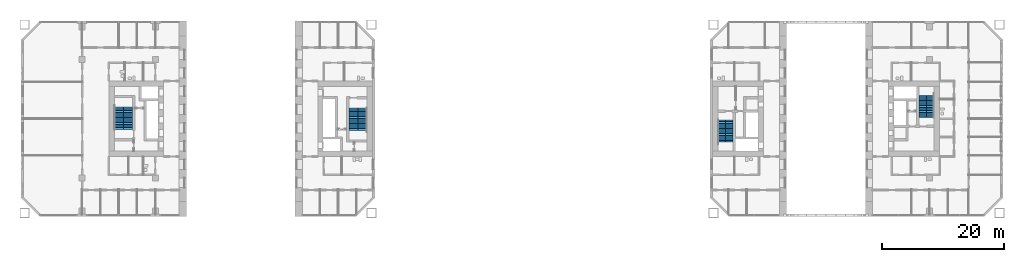
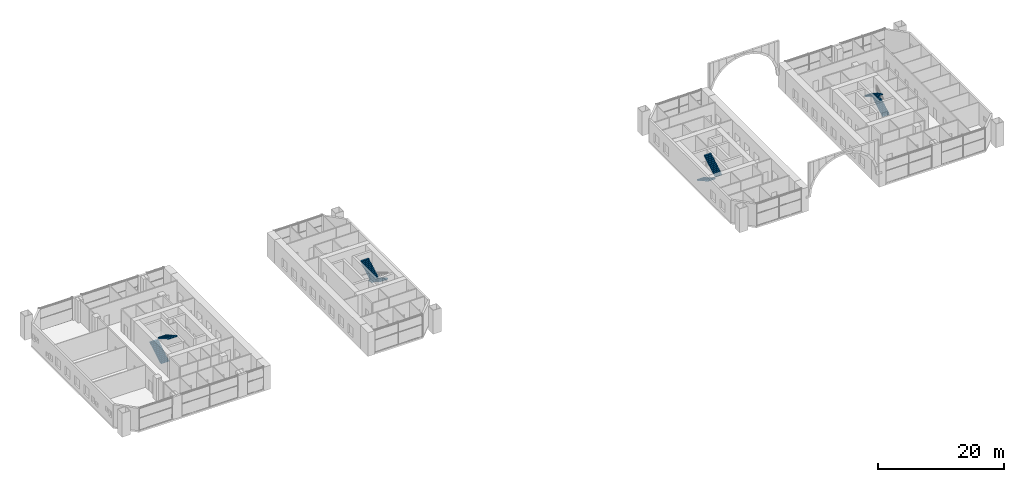
# One storey, part 19 of 21: 8 stair flights, 4 elements without a shape of their own.
"""IFC4 building model written with IfcOpenShell, lengths in metres."""

from ifc_helpers import new_model, si_unit, direction, frame, origin, place, context, subcontext, project, spatial, polyline, outline, extrude, material, type_object, element, aggregate, save


model = new_model("IFC4")

# Units and contexts
model_context = context("Model", 3, precision=1e-05, world=origin(), true_north=direction((0.0, 1.0)))
body_context = subcontext(model_context, "Body", "Model", "MODEL_VIEW")
ifc_project = project(units=[si_unit("LENGTHUNIT", "METRE"), si_unit("AREAUNIT", "SQUARE_METRE"), si_unit("VOLUMEUNIT", "CUBIC_METRE"), si_unit("PLANEANGLEUNIT", "RADIAN"), si_unit("MASSUNIT", "GRAM", prefix="KILO")], contexts=[model_context])

# Site, building, storey
site_placement = place(None, origin())
site = spatial("IfcSite", under=ifc_project, at=site_placement, CompositionType="ELEMENT")
building_placement = place(site_placement, origin())
building = spatial("IfcBuilding", under=site, at=building_placement, Name="Tuart Gate Housing", CompositionType="ELEMENT")
storey_placement = place(building_placement, frame((0.0, 0.0, 5.5)))
storey = spatial("IfcBuildingStorey", under=building, at=storey_placement, Name="L01", CompositionType="ELEMENT", Elevation=5.5)

# Stair, stair flights
ifc_material_1 = material(Name="Concrete C40", Category="concrete")
stair_type_1 = type_object("IfcStairType", Name="Core stair 1250", PredefinedType="HALF_TURN_STAIR", material=ifc_material_1)
stair_1_placement = place(storey_placement, origin())
stair_1 = element("IfcStair", 1, at=stair_1_placement, inside=storey, type_object=stair_type_1, Name="Stair SB1", PredefinedType="HALF_TURN_STAIR")
ifc_material_2 = material(Name="Concrete C40", Category="concrete")
stair_flight_type_1 = type_object("IfcStairFlightType", Name="Stair flight 1250, 14 risers 164 x 280", PredefinedType="STRAIGHT", material=ifc_material_2)
stair_flight_1_placement = place(storey_placement, frame((132.885009765625, 69.800048828125, 0.0), z_axis=(0.0, 0.0, 1.0), x_axis=(0.0, -1.0, 0.0)))
stair_flight_1 = element("IfcStairFlight", 2, at=stair_flight_1_placement, type_object=stair_flight_type_1, Name="SB1 flight 1", NumberOfRisers=14, NumberOfTreads=13, PredefinedType="STRAIGHT", RiserHeight=0.164285714, TreadLength=0.28, context=body_context, shape_type="SweptSolid", body=[
    extrude(outline(polyline([(0.0, 0.0), (0.0, 0.164306640625), (0.280029296875, 0.164306640625), (0.280029296875, 0.32861328125), (0.56005859375, 0.32861328125), (0.56005859375, 0.492919921875), (0.840087890625, 0.492919921875), (0.840087890625, 0.6572265625), (1.1201171875, 0.6572265625), (1.1201171875, 0.821533203125), (1.39990234375, 0.821533203125), (1.39990234375, 0.985595703125), (1.679931640625, 0.985595703125), (1.679931640625, 1.14990234375), (1.9599609375, 1.14990234375), (1.9599609375, 1.314208984375), (2.239990234375, 1.314208984375), (2.239990234375, 1.478515625), (2.52001953125, 1.478515625), (2.52001953125, 1.642822265625), (2.800048828125, 1.642822265625), (2.800048828125, 1.80712890625), (3.080078125, 1.80712890625), (3.080078125, 1.971435546875), (3.360107421875, 1.971435546875), (3.360107421875, 2.1357421875), (3.639892578125, 2.1357421875), (3.639892578125, 2.300048828125), (3.639892578125, 1.9619140625), (0.296142578125, 0.0), (0.0, 0.0)])), frame((0.0, 0.625, 0.0), z_axis=(0.0, -1.0, 0.0), x_axis=(1.0, 0.0, 0.0)), (0.0, 0.0, 1.0), 1.25),
])
stair_flight_2_placement = place(storey_placement, frame((134.135009765625, 66.159912109375, 2.300048828125), z_axis=(0.0, 0.0, 1.0), x_axis=(0.0, 1.0, 0.0)))
stair_flight_2 = element("IfcStairFlight", 3, at=stair_flight_2_placement, type_object=stair_flight_type_1, Name="SB1 flight 2", NumberOfRisers=14, NumberOfTreads=13, PredefinedType="STRAIGHT", RiserHeight=0.164285714, TreadLength=0.28, context=body_context, shape_type="SweptSolid", body=[
    extrude(outline(polyline([(0.0, 0.0), (0.0, 0.164306640625), (0.280029296875, 0.164306640625), (0.280029296875, 0.32861328125), (0.56005859375, 0.32861328125), (0.56005859375, 0.492919921875), (0.840087890625, 0.492919921875), (0.840087890625, 0.6572265625), (1.1201171875, 0.6572265625), (1.1201171875, 0.821533203125), (1.39990234375, 0.821533203125), (1.39990234375, 0.985595703125), (1.679931640625, 0.985595703125), (1.679931640625, 1.14990234375), (1.9599609375, 1.14990234375), (1.9599609375, 1.314208984375), (2.239990234375, 1.314208984375), (2.239990234375, 1.478515625), (2.52001953125, 1.478515625), (2.52001953125, 1.642822265625), (2.800048828125, 1.642822265625), (2.800048828125, 1.80712890625), (3.080078125, 1.80712890625), (3.080078125, 1.971435546875), (3.360107421875, 1.971435546875), (3.360107421875, 2.1357421875), (3.639892578125, 2.1357421875), (3.639892578125, 2.300048828125), (3.639892578125, 1.9619140625), (0.296142578125, 0.0), (0.0, 0.0)])), frame((0.0, 0.625, 0.0), z_axis=(0.0, -1.0, 0.0), x_axis=(1.0, 0.0, 0.0)), (0.0, 0.0, 1.0), 1.25),
])
aggregate(stair_1, [stair_flight_1, stair_flight_2])

stair_2_placement = place(storey_placement, origin())
stair_2 = element("IfcStair", 4, at=stair_2_placement, inside=storey, type_object=stair_type_1, Name="Stair SB2", PredefinedType="HALF_TURN_STAIR")
stair_flight_3_placement = place(storey_placement, frame((167.114990234375, 70.199951171875, 0.0), z_axis=(0.0, 0.0, 1.0), x_axis=(0.0, 1.0, 0.0)))
stair_flight_3 = element("IfcStairFlight", 5, at=stair_flight_3_placement, type_object=stair_flight_type_1, Name="SB2 flight 1", NumberOfRisers=14, NumberOfTreads=13, PredefinedType="STRAIGHT", RiserHeight=0.164285714, TreadLength=0.28, context=body_context, shape_type="SweptSolid", body=[
    extrude(outline(polyline([(0.0, 0.0), (0.0, 0.164306640625), (0.280029296875, 0.164306640625), (0.280029296875, 0.32861328125), (0.56005859375, 0.32861328125), (0.56005859375, 0.492919921875), (0.840087890625, 0.492919921875), (0.840087890625, 0.6572265625), (1.1201171875, 0.6572265625), (1.1201171875, 0.821533203125), (1.39990234375, 0.821533203125), (1.39990234375, 0.985595703125), (1.679931640625, 0.985595703125), (1.679931640625, 1.14990234375), (1.9599609375, 1.14990234375), (1.9599609375, 1.314208984375), (2.239990234375, 1.314208984375), (2.239990234375, 1.478515625), (2.52001953125, 1.478515625), (2.52001953125, 1.642822265625), (2.800048828125, 1.642822265625), (2.800048828125, 1.80712890625), (3.080078125, 1.80712890625), (3.080078125, 1.971435546875), (3.360107421875, 1.971435546875), (3.360107421875, 2.1357421875), (3.639892578125, 2.1357421875), (3.639892578125, 2.300048828125), (3.639892578125, 1.9619140625), (0.296142578125, 0.0), (0.0, 0.0)])), frame((0.0, 0.625, 0.0), z_axis=(0.0, -1.0, 0.0), x_axis=(1.0, 0.0, 0.0)), (0.0, 0.0, 1.0), 1.25),
])
stair_flight_4_placement = place(storey_placement, frame((165.864990234375, 73.840087890625, 2.300048828125), z_axis=(0.0, 0.0, 1.0), x_axis=(0.0, -1.0, 0.0)))
stair_flight_4 = element("IfcStairFlight", 6, at=stair_flight_4_placement, type_object=stair_flight_type_1, Name="SB2 flight 2", NumberOfRisers=14, NumberOfTreads=13, PredefinedType="STRAIGHT", RiserHeight=0.164285714, TreadLength=0.28, context=body_context, shape_type="SweptSolid", body=[
    extrude(outline(polyline([(0.0, 0.0), (0.0, 0.164306640625), (0.280029296875, 0.164306640625), (0.280029296875, 0.32861328125), (0.56005859375, 0.32861328125), (0.56005859375, 0.492919921875), (0.840087890625, 0.492919921875), (0.840087890625, 0.6572265625), (1.1201171875, 0.6572265625), (1.1201171875, 0.821533203125), (1.39990234375, 0.821533203125), (1.39990234375, 0.985595703125), (1.679931640625, 0.985595703125), (1.679931640625, 1.14990234375), (1.9599609375, 1.14990234375), (1.9599609375, 1.314208984375), (2.239990234375, 1.314208984375), (2.239990234375, 1.478515625), (2.52001953125, 1.478515625), (2.52001953125, 1.642822265625), (2.800048828125, 1.642822265625), (2.800048828125, 1.80712890625), (3.080078125, 1.80712890625), (3.080078125, 1.971435546875), (3.360107421875, 1.971435546875), (3.360107421875, 2.1357421875), (3.639892578125, 2.1357421875), (3.639892578125, 2.300048828125), (3.639892578125, 1.9619140625), (0.296142578125, 0.0), (0.0, 0.0)])), frame((0.0, 0.625, 0.0), z_axis=(0.0, -1.0, 0.0), x_axis=(1.0, 0.0, 0.0)), (0.0, 0.0, 1.0), 1.25),
])
aggregate(stair_2, [stair_flight_3, stair_flight_4])

ifc_material_3 = material(Name="Concrete C40", Category="concrete")
stair_type_2 = type_object("IfcStairType", Name="Core stair 1500", PredefinedType="HALF_TURN_STAIR", material=ifc_material_3)
stair_3_placement = place(storey_placement, origin())
stair_3 = element("IfcStair", 7, at=stair_3_placement, inside=storey, type_object=stair_type_2, Name="Stair SA1", PredefinedType="HALF_TURN_STAIR")
ifc_material_4 = material(Name="Concrete C40", Category="concrete")
stair_flight_type_2 = type_object("IfcStairFlightType", Name="Stair flight 1500, 14 risers 164 x 280", PredefinedType="STRAIGHT", material=ifc_material_4)
stair_flight_5_placement = place(storey_placement, frame((73.989990234375, 71.75, 0.0), z_axis=(0.0, 0.0, 1.0), x_axis=(0.0, -1.0, 0.0)))
stair_flight_5 = element("IfcStairFlight", 8, at=stair_flight_5_placement, type_object=stair_flight_type_2, Name="SA1 flight 1", NumberOfRisers=14, NumberOfTreads=13, PredefinedType="STRAIGHT", RiserHeight=0.164285714, TreadLength=0.28, context=body_context, shape_type="SweptSolid", body=[
    extrude(outline(polyline([(0.0, 0.0), (0.0, 0.164306640625), (0.280029296875, 0.164306640625), (0.280029296875, 0.32861328125), (0.56005859375, 0.32861328125), (0.56005859375, 0.492919921875), (0.840087890625, 0.492919921875), (0.840087890625, 0.6572265625), (1.1201171875, 0.6572265625), (1.1201171875, 0.821533203125), (1.39990234375, 0.821533203125), (1.39990234375, 0.985595703125), (1.679931640625, 0.985595703125), (1.679931640625, 1.14990234375), (1.9599609375, 1.14990234375), (1.9599609375, 1.314208984375), (2.239990234375, 1.314208984375), (2.239990234375, 1.478515625), (2.52001953125, 1.478515625), (2.52001953125, 1.642822265625), (2.800048828125, 1.642822265625), (2.800048828125, 1.80712890625), (3.080078125, 1.80712890625), (3.080078125, 1.971435546875), (3.360107421875, 1.971435546875), (3.360107421875, 2.1357421875), (3.639892578125, 2.1357421875), (3.639892578125, 2.300048828125), (3.639892578125, 1.9619140625), (0.296142578125, 0.0), (0.0, 0.0)])), frame((0.0, 0.75, 0.0), z_axis=(0.0, -1.0, 0.0), x_axis=(1.0, 0.0, 0.0)), (0.0, 0.0, 1.0), 1.5),
])
stair_flight_6_placement = place(storey_placement, frame((72.489990234375, 68.110107421875, 2.300048828125), z_axis=(0.0, 0.0, 1.0), x_axis=(0.0, 1.0, 0.0)))
stair_flight_6 = element("IfcStairFlight", 9, at=stair_flight_6_placement, type_object=stair_flight_type_2, Name="SA1 flight 2", NumberOfRisers=14, NumberOfTreads=13, PredefinedType="STRAIGHT", RiserHeight=0.164285714, TreadLength=0.28, context=body_context, shape_type="SweptSolid", body=[
    extrude(outline(polyline([(0.0, 0.0), (0.0, 0.164306640625), (0.280029296875, 0.164306640625), (0.280029296875, 0.32861328125), (0.56005859375, 0.32861328125), (0.56005859375, 0.492919921875), (0.840087890625, 0.492919921875), (0.840087890625, 0.6572265625), (1.1201171875, 0.6572265625), (1.1201171875, 0.821533203125), (1.39990234375, 0.821533203125), (1.39990234375, 0.985595703125), (1.679931640625, 0.985595703125), (1.679931640625, 1.14990234375), (1.9599609375, 1.14990234375), (1.9599609375, 1.314208984375), (2.239990234375, 1.314208984375), (2.239990234375, 1.478515625), (2.52001953125, 1.478515625), (2.52001953125, 1.642822265625), (2.800048828125, 1.642822265625), (2.800048828125, 1.80712890625), (3.080078125, 1.80712890625), (3.080078125, 1.971435546875), (3.360107421875, 1.971435546875), (3.360107421875, 2.1357421875), (3.639892578125, 2.1357421875), (3.639892578125, 2.300048828125), (3.639892578125, 1.9619140625), (0.296142578125, 0.0), (0.0, 0.0)])), frame((0.0, 0.75, 0.0), z_axis=(0.0, -1.0, 0.0), x_axis=(1.0, 0.0, 0.0)), (0.0, 0.0, 1.0), 1.5),
])
aggregate(stair_3, [stair_flight_5, stair_flight_6])

stair_4_placement = place(storey_placement, origin())
stair_4 = element("IfcStair", 10, at=stair_4_placement, inside=storey, type_object=stair_type_2, Name="Stair SA2", PredefinedType="HALF_TURN_STAIR")
stair_flight_7_placement = place(storey_placement, frame((34.010009765625, 68.25, 0.0), z_axis=(0.0, 0.0, 1.0), x_axis=(0.0, 1.0, 0.0)))
stair_flight_7 = element("IfcStairFlight", 11, at=stair_flight_7_placement, type_object=stair_flight_type_2, Name="SA2 flight 1", NumberOfRisers=14, NumberOfTreads=13, PredefinedType="STRAIGHT", RiserHeight=0.164285714, TreadLength=0.28, context=body_context, shape_type="SweptSolid", body=[
    extrude(outline(polyline([(0.0, 0.0), (0.0, 0.164306640625), (0.280029296875, 0.164306640625), (0.280029296875, 0.32861328125), (0.56005859375, 0.32861328125), (0.56005859375, 0.492919921875), (0.840087890625, 0.492919921875), (0.840087890625, 0.6572265625), (1.1201171875, 0.6572265625), (1.1201171875, 0.821533203125), (1.39990234375, 0.821533203125), (1.39990234375, 0.985595703125), (1.679931640625, 0.985595703125), (1.679931640625, 1.14990234375), (1.9599609375, 1.14990234375), (1.9599609375, 1.314208984375), (2.239990234375, 1.314208984375), (2.239990234375, 1.478515625), (2.52001953125, 1.478515625), (2.52001953125, 1.642822265625), (2.800048828125, 1.642822265625), (2.800048828125, 1.80712890625), (3.080078125, 1.80712890625), (3.080078125, 1.971435546875), (3.360107421875, 1.971435546875), (3.360107421875, 2.1357421875), (3.639892578125, 2.1357421875), (3.639892578125, 2.300048828125), (3.639892578125, 1.9619140625), (0.296142578125, 0.0), (0.0, 0.0)])), frame((0.0, 0.75, 0.0), z_axis=(0.0, -1.0, 0.0), x_axis=(1.0, 0.0, 0.0)), (0.0, 0.0, 1.0), 1.5),
])
stair_flight_8_placement = place(storey_placement, frame((35.510009765625, 71.889892578125, 2.300048828125), z_axis=(0.0, 0.0, 1.0), x_axis=(0.0, -1.0, 0.0)))
stair_flight_8 = element("IfcStairFlight", 12, at=stair_flight_8_placement, type_object=stair_flight_type_2, Name="SA2 flight 2", NumberOfRisers=14, NumberOfTreads=13, PredefinedType="STRAIGHT", RiserHeight=0.164285714, TreadLength=0.28, context=body_context, shape_type="SweptSolid", body=[
    extrude(outline(polyline([(0.0, 0.0), (0.0, 0.164306640625), (0.280029296875, 0.164306640625), (0.280029296875, 0.32861328125), (0.56005859375, 0.32861328125), (0.56005859375, 0.492919921875), (0.840087890625, 0.492919921875), (0.840087890625, 0.6572265625), (1.1201171875, 0.6572265625), (1.1201171875, 0.821533203125), (1.39990234375, 0.821533203125), (1.39990234375, 0.985595703125), (1.679931640625, 0.985595703125), (1.679931640625, 1.14990234375), (1.9599609375, 1.14990234375), (1.9599609375, 1.314208984375), (2.239990234375, 1.314208984375), (2.239990234375, 1.478515625), (2.52001953125, 1.478515625), (2.52001953125, 1.642822265625), (2.800048828125, 1.642822265625), (2.800048828125, 1.80712890625), (3.080078125, 1.80712890625), (3.080078125, 1.971435546875), (3.360107421875, 1.971435546875), (3.360107421875, 2.1357421875), (3.639892578125, 2.1357421875), (3.639892578125, 2.300048828125), (3.639892578125, 1.9619140625), (0.296142578125, 0.0), (0.0, 0.0)])), frame((0.0, 0.75, 0.0), z_axis=(0.0, -1.0, 0.0), x_axis=(1.0, 0.0, 0.0)), (0.0, 0.0, 1.0), 1.5),
])
aggregate(stair_4, [stair_flight_7, stair_flight_8])

save(model, "model.ifc")
